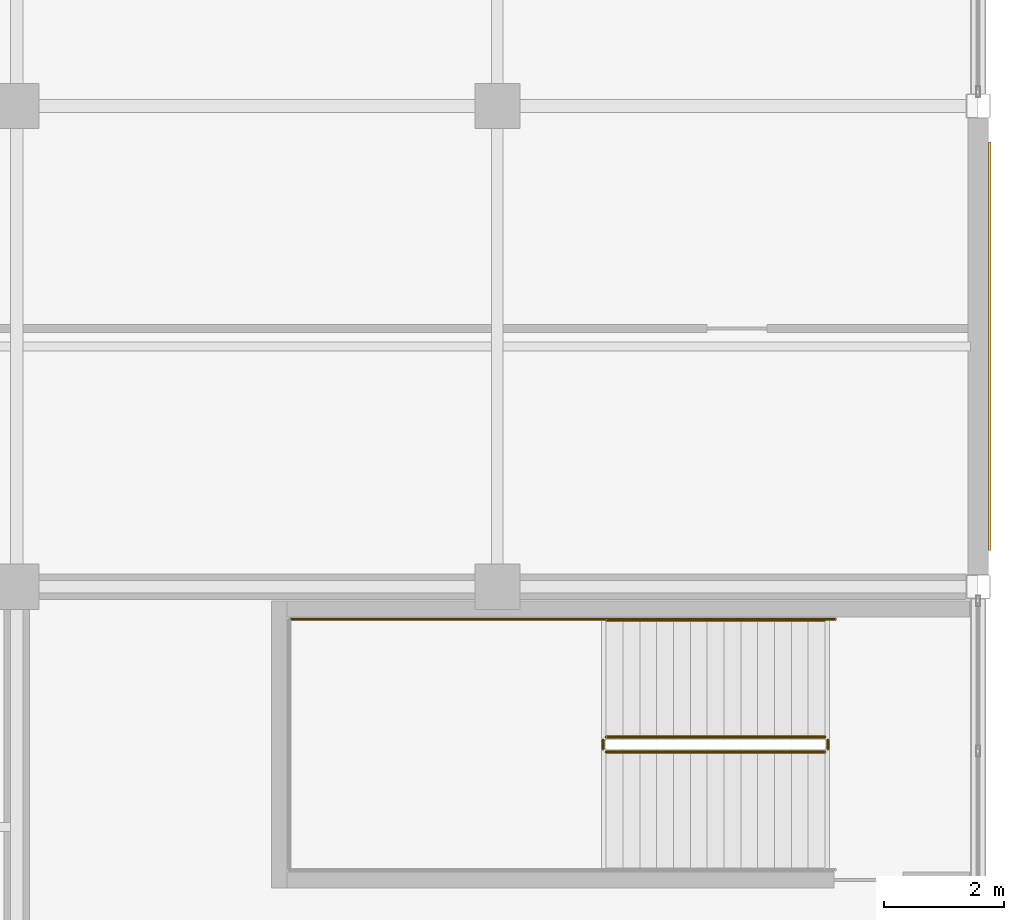
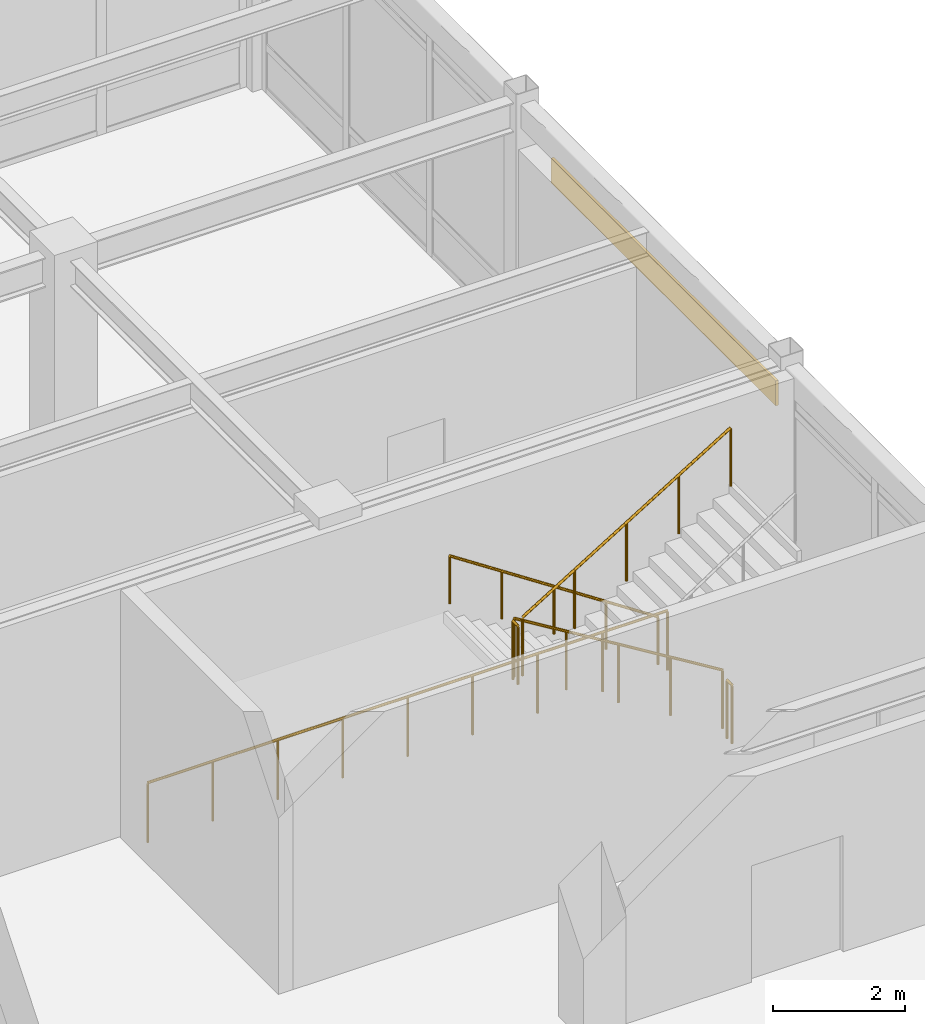
# One storey, part 116 of 117: 6 railings, 1 covering.
"""IFC4 building model written with IfcOpenShell, lengths in metres."""

from ifc_helpers import new_model, si_unit, direction, frame, origin, origin_2d, place, context, subcontext, project, spatial, rectangle, circle, extrude, material, layer, layer_set, type_object, element, save


model = new_model("IFC4")

# Units and contexts
model_context = context("Model", 3, precision=1e-05, world=origin(), true_north=direction((0.0, 1.0)))
body_context = subcontext(model_context, "Body", "Model", "MODEL_VIEW")
ifc_project = project(units=[si_unit("LENGTHUNIT", "METRE"), si_unit("AREAUNIT", "SQUARE_METRE"), si_unit("VOLUMEUNIT", "CUBIC_METRE"), si_unit("PLANEANGLEUNIT", "RADIAN"), si_unit("MASSUNIT", "GRAM", prefix="KILO")], contexts=[model_context])

# Site, building, storey
site_placement = place(None, origin())
site = spatial("IfcSite", under=ifc_project, at=site_placement, CompositionType="ELEMENT")
building_placement = place(site_placement, origin())
building = spatial("IfcBuilding", under=site, at=building_placement, Name="Solmirada Galleria", CompositionType="ELEMENT")
storey_placement = place(building_placement, frame((0.0, 0.0, 5.60009765625)))
storey = spatial("IfcBuildingStorey", under=building, at=storey_placement, Name="L01", CompositionType="ELEMENT", Elevation=5.60009765625)

# Covering
ifc_material_1 = material(Name="Limestone cladding panels", Category="masonry")
ifc_layer = layer(ifc_material_1, 0.044921875)
ifc_layer_set = layer_set([ifc_layer], Name="Limestone cladding panels")
covering_type = type_object("IfcCoveringType", Name="COV-CLAD-LIME", PredefinedType="CLADDING", material=ifc_layer_set)
covering_placement = place(storey_placement, frame((176.1923828125, 108.0, 3.2900390625), z_axis=(0.0, 0.0, 1.0), x_axis=(0.0, -1.0, 0.0)))
element("IfcCovering", 1, at=covering_placement, inside=storey, type_object=covering_type, Name="Postmodern facade cladding L01-081", PredefinedType="CLADDING", context=body_context, shape_type="SweptSolid", body=[
    extrude(rectangle(XDim=6.7939453125, YDim=0.044921875, at=origin_2d()), origin(), (0.0, 0.0, 1.0), 0.4599609375),
])

# Railings
ifc_material_2 = material(Name="Painted steel tubular railing", Category="steel")
railing_type_1 = type_object("IfcRailingType", Name="RAIL-STAIR-GUARD", PredefinedType="GUARDRAIL", material=ifc_material_2)
railing_1_placement = place(storey_placement, frame((173.449951171875, 101.5, 0.17138671875)))
element("IfcRailing", 2, at=railing_1_placement, inside=storey, type_object=railing_type_1, Name="L01 ST4 stair guard 1", PredefinedType="GUARDRAIL", context=body_context, shape_type="SweptSolid", body=[
    extrude(circle(Radius=0.02392578125, at=origin_2d()), frame((0.0, 0.0, 1.076171875), z_axis=(-0.852850264322, 0.0, 0.5221555579), x_axis=(0.0, -1.0, 0.0)), (0.0, 0.0, 1.0), 4.267822265625),
    extrude(circle(Radius=0.02099609375, at=origin_2d()), origin(), (0.0, 0.0, 1.0), 1.048095703125),
    extrude(circle(Radius=0.02099609375, at=origin_2d()), frame((-0.909912109375, 0.0, 0.55712890625)), (0.0, 0.0, 1.0), 1.048095703125),
    extrude(circle(Radius=0.02099609375, at=origin_2d()), frame((-1.81982421875, 0.0, 1.1142578125)), (0.0, 0.0, 1.0), 1.048095703125),
    extrude(circle(Radius=0.02099609375, at=origin_2d()), frame((-2.72998046875, 0.0, 1.67138671875)), (0.0, 0.0, 1.0), 1.048095703125),
    extrude(circle(Radius=0.02099609375, at=origin_2d()), frame((-3.639892578125, 0.0, 2.228515625)), (0.0, 0.0, 1.0), 1.048095703125),
])
railing_2_placement = place(storey_placement, frame((169.760009765625, 101.449951171875, 2.39990234375)))
element("IfcRailing", 3, at=railing_2_placement, inside=storey, type_object=railing_type_1, Name="L01 ST4 stair guard 2", PredefinedType="GUARDRAIL", context=body_context, shape_type="SweptSolid", body=[
    extrude(circle(Radius=0.02392578125, at=origin_2d()), frame((0.0, 0.0, 1.076171875), z_axis=(0.0, -1.0, 0.0), x_axis=(1.0, 0.0, 0.0)), (0.0, 0.0, 1.0), 0.14990234375),
    extrude(circle(Radius=0.02099609375, at=origin_2d()), origin(), (0.0, 0.0, 1.0), 1.048095703125),
    extrude(circle(Radius=0.02099609375, at=origin_2d()), frame((0.0, -0.14990234375, 0.0)), (0.0, 0.0, 1.0), 1.048095703125),
])
railing_3_placement = place(storey_placement, frame((169.81005859375, 101.25, 2.5712890625)))
element("IfcRailing", 4, at=railing_3_placement, inside=storey, type_object=railing_type_1, Name="L01 ST4 stair guard 3", PredefinedType="GUARDRAIL", context=body_context, shape_type="SweptSolid", body=[
    extrude(circle(Radius=0.02392578125, at=origin_2d()), frame((0.0, 0.0, 1.076171875), z_axis=(0.852850264322, 0.0, 0.5221555579), x_axis=(0.0, 1.0, 0.0)), (0.0, 0.0, 1.0), 4.267822265625),
    extrude(circle(Radius=0.02099609375, at=origin_2d()), origin(), (0.0, 0.0, 1.0), 1.048095703125),
    extrude(circle(Radius=0.02099609375, at=origin_2d()), frame((0.909912109375, 0.0, 0.55712890625)), (0.0, 0.0, 1.0), 1.048095703125),
    extrude(circle(Radius=0.02099609375, at=origin_2d()), frame((1.81982421875, 0.0, 1.1142578125)), (0.0, 0.0, 1.0), 1.048095703125),
    extrude(circle(Radius=0.02099609375, at=origin_2d()), frame((2.72998046875, 0.0, 1.67138671875)), (0.0, 0.0, 1.0), 1.048095703125),
    extrude(circle(Radius=0.02099609375, at=origin_2d()), frame((3.639892578125, 0.0, 2.228515625)), (0.0, 0.0, 1.0), 1.048095703125),
])
railing_4_placement = place(storey_placement, frame((173.5, 101.449951171875, 0.0)))
element("IfcRailing", 5, at=railing_4_placement, inside=storey, type_object=railing_type_1, Name="L01 ST4 stair guard 4", PredefinedType="GUARDRAIL", context=body_context, shape_type="SweptSolid", body=[
    extrude(circle(Radius=0.02392578125, at=origin_2d()), frame((0.0, 0.0, 1.076171875), z_axis=(0.0, -1.0, 0.0), x_axis=(1.0, 0.0, 0.0)), (0.0, 0.0, 1.0), 0.14990234375),
    extrude(circle(Radius=0.02099609375, at=origin_2d()), origin(), (0.0, 0.0, 1.0), 1.048095703125),
    extrude(circle(Radius=0.02099609375, at=origin_2d()), frame((0.0, -0.14990234375, 0.0)), (0.0, 0.0, 1.0), 1.048095703125),
])
railing_5_placement = place(storey_placement, frame((164.5400390625, 103.4599609375, 0.0)))
element("IfcRailing", 6, at=railing_5_placement, inside=storey, type_object=railing_type_1, Name="Stair ST4 well edge guard L01-3", PredefinedType="GUARDRAIL", context=body_context, shape_type="SweptSolid", body=[
    extrude(circle(Radius=0.02392578125, at=origin_2d()), frame((0.0, 0.0, 1.09619140625), z_axis=(1.0, 0.0, 0.0), x_axis=(0.0, 1.0, 0.0)), (0.0, 0.0, 1.0), 9.080078125),
    extrude(circle(Radius=0.02099609375, at=origin_2d()), origin(), (0.0, 0.0, 1.0), 1.068115234375),
    extrude(circle(Radius=0.02099609375, at=origin_2d()), frame((1.135009765625, 0.0, 0.0)), (0.0, 0.0, 1.0), 1.068115234375),
    extrude(circle(Radius=0.02099609375, at=origin_2d()), frame((2.27001953125, 0.0, 0.0)), (0.0, 0.0, 1.0), 1.068115234375),
    extrude(circle(Radius=0.02099609375, at=origin_2d()), frame((3.405029296875, 0.0, 0.0)), (0.0, 0.0, 1.0), 1.068115234375),
    extrude(circle(Radius=0.02099609375, at=origin_2d()), frame((4.5400390625, 0.0, 0.0)), (0.0, 0.0, 1.0), 1.068115234375),
    extrude(circle(Radius=0.02099609375, at=origin_2d()), frame((5.675048828125, 0.0, 0.0)), (0.0, 0.0, 1.0), 1.068115234375),
    extrude(circle(Radius=0.02099609375, at=origin_2d()), frame((6.81005859375, 0.0, 0.0)), (0.0, 0.0, 1.0), 1.068115234375),
    extrude(circle(Radius=0.02099609375, at=origin_2d()), frame((7.945068359375, 0.0, 0.0)), (0.0, 0.0, 1.0), 1.068115234375),
    extrude(circle(Radius=0.02099609375, at=origin_2d()), frame((9.080078125, 0.0, 0.0)), (0.0, 0.0, 1.0), 1.068115234375),
])
railing_type_2 = type_object("IfcRailingType", Name="RAIL-STAIR-HAND", PredefinedType="HANDRAIL", material=ifc_material_2)
railing_6_placement = place(storey_placement, frame((173.449951171875, 103.449951171875, 0.17138671875)))
element("IfcRailing", 7, at=railing_6_placement, inside=storey, type_object=railing_type_2, Name="L01 ST4 stair handrail 1", PredefinedType="HANDRAIL", context=body_context, shape_type="SweptSolid", body=[
    extrude(circle(Radius=0.02392578125, at=origin_2d()), frame((0.0, 0.0, 0.8759765625), z_axis=(-0.834865213223, 0.0, 0.550454426587), x_axis=(0.0, -1.0, 0.0)), (0.0, 0.0, 1.0), 4.35986328125),
    extrude(circle(Radius=0.02099609375, at=origin_2d()), origin(), (0.0, 0.0, 1.0), 0.847900390625),
    extrude(circle(Radius=0.02099609375, at=origin_2d()), frame((-0.909912109375, 0.0, 0.60009765625)), (0.0, 0.0, 1.0), 0.847900390625),
    extrude(circle(Radius=0.02099609375, at=origin_2d()), frame((-1.81982421875, 0.0, 1.199951171875)), (0.0, 0.0, 1.0), 0.847900390625),
    extrude(circle(Radius=0.02099609375, at=origin_2d()), frame((-2.72998046875, 0.0, 1.7998046875)), (0.0, 0.0, 1.0), 0.847900390625),
    extrude(circle(Radius=0.02099609375, at=origin_2d()), frame((-3.639892578125, 0.0, 2.39990234375)), (0.0, 0.0, 1.0), 0.847900390625),
])

save(model, "model.ifc")
